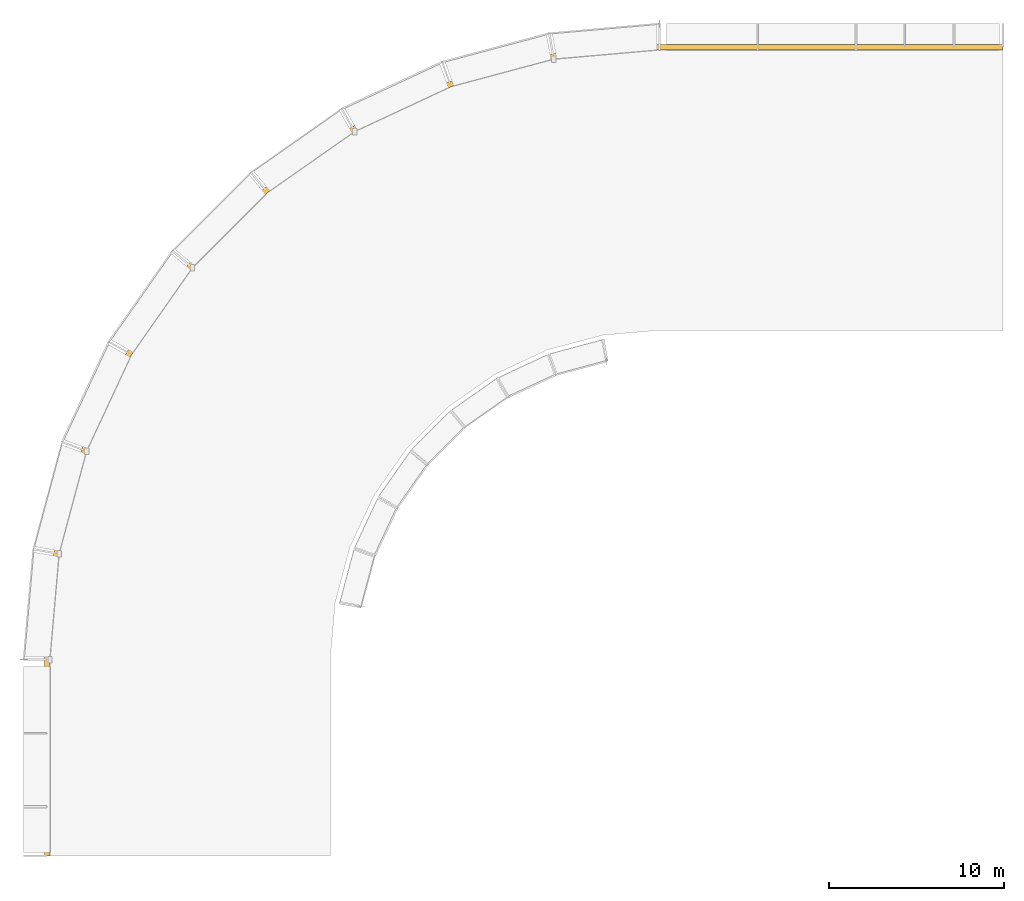
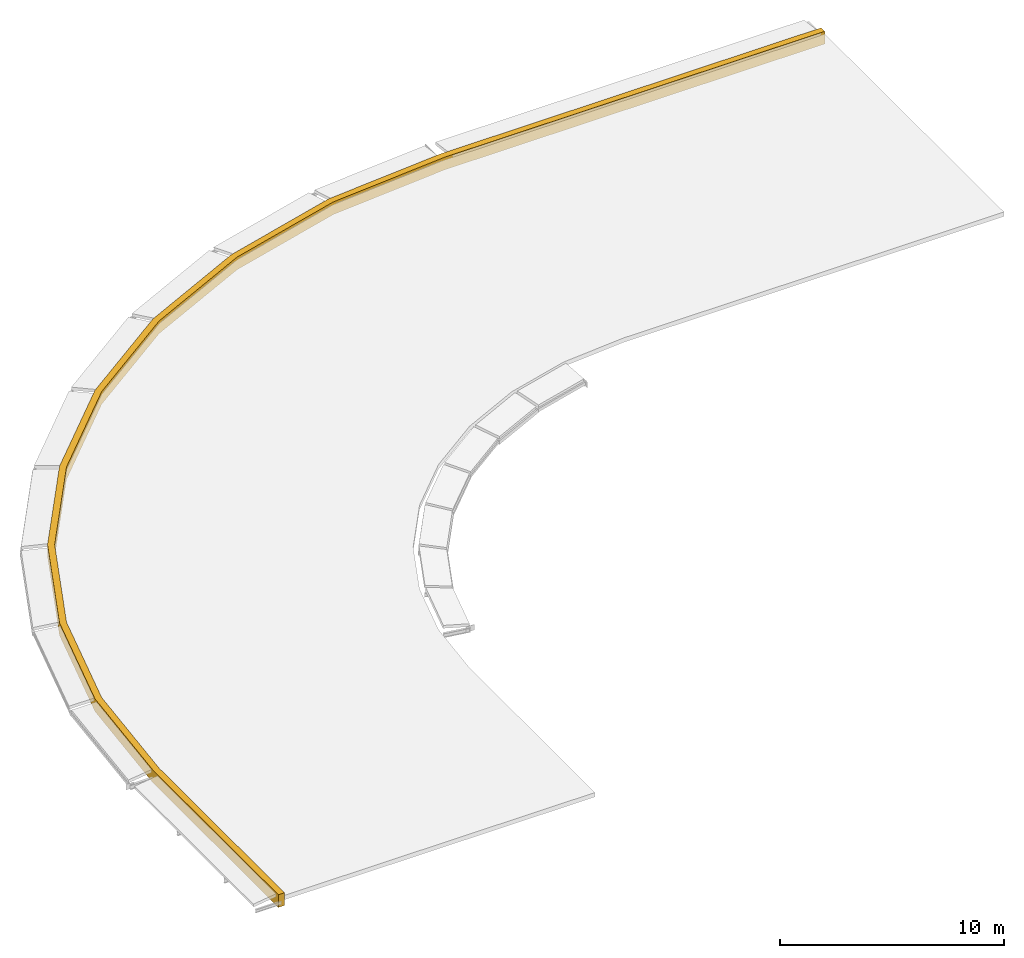
# One storey, part 6 of 6: 1 covering.
"""IFC4 building model written with IfcOpenShell, lengths in metres."""

from ifc_helpers import new_model, si_unit, direction, frame, origin, place, context, subcontext, project, spatial, polyline, outline, extrude, material, layer, layer_set, type_object, element, save


model = new_model("IFC4")

# Units and contexts
model_context = context("Model", 3, precision=1e-05, world=origin(), true_north=direction((0.0, 1.0)))
body_context = subcontext(model_context, "Body", "Model", "MODEL_VIEW")
ifc_project = project(units=[si_unit("LENGTHUNIT", "METRE"), si_unit("AREAUNIT", "SQUARE_METRE"), si_unit("VOLUMEUNIT", "CUBIC_METRE"), si_unit("PLANEANGLEUNIT", "RADIAN"), si_unit("MASSUNIT", "GRAM", prefix="KILO")], contexts=[model_context])

# Site, building, storey
site_placement = place(None, origin())
site = spatial("IfcSite", under=ifc_project, at=site_placement, CompositionType="ELEMENT")
building_placement = place(site_placement, origin())
building = spatial("IfcBuilding", under=site, at=building_placement, Name="Kiranvali Square Residences", CompositionType="ELEMENT")
storey_placement = place(building_placement, frame((0.0, 0.0, 52.800048828125)))
storey = spatial("IfcBuildingStorey", under=building, at=storey_placement, Name="ROOF", CompositionType="ELEMENT", Elevation=52.800048828125)

# Covering
ifc_material = material(Name="Carved Porbandar limestone classical entablature and cornice", Category="masonry")
ifc_layer = layer(ifc_material, 0.409912109375)
ifc_layer_set = layer_set([ifc_layer], Name="Carved Porbandar limestone classical entablature and cornice")
covering_type = type_object("IfcCoveringType", Name="COV-CLAD-ATTIC", PredefinedType="CLADDING", material=ifc_layer_set)
covering_placement = place(storey_placement, frame((0.0, 0.0, -0.550048828125)))
element("IfcCovering", 1, at=covering_placement, inside=storey, type_object=covering_type, Name="Block A Classical Ottoman attic entablature frieze", PredefinedType="CLADDING", context=body_context, shape_type="SweptSolid", body=[
    extrude(outline(polyline([(67.800048828125, 122.919921875), (48.199951171875, 122.919921875), (42.1015625, 122.386474609375), (36.188232421875, 120.802001953125), (30.639892578125, 118.21484375), (25.625244140625, 114.703369140625), (21.296630859375, 110.374755859375), (17.78515625, 105.360107421875), (15.197998046875, 99.811767578125), (13.613525390625, 93.8984375), (13.080078125, 87.800048828125), (13.080078125, 76.60009765625), (13.39794921875, 76.60009765625), (13.39794921875, 87.800048828125), (13.9267578125, 93.84326171875), (15.496826171875, 99.702880859375), (18.060546875, 105.200927734375), (21.5400390625, 110.17041015625), (25.82958984375, 114.4599609375), (30.799072265625, 117.939453125), (36.297119140625, 120.503173828125), (42.15673828125, 122.0732421875), (48.199951171875, 122.60205078125), (67.800048828125, 122.60205078125), (67.800048828125, 122.919921875)])), origin(), (0.0, 0.0, 1.0), 0.68994140625),
])

save(model, "model.ifc")
